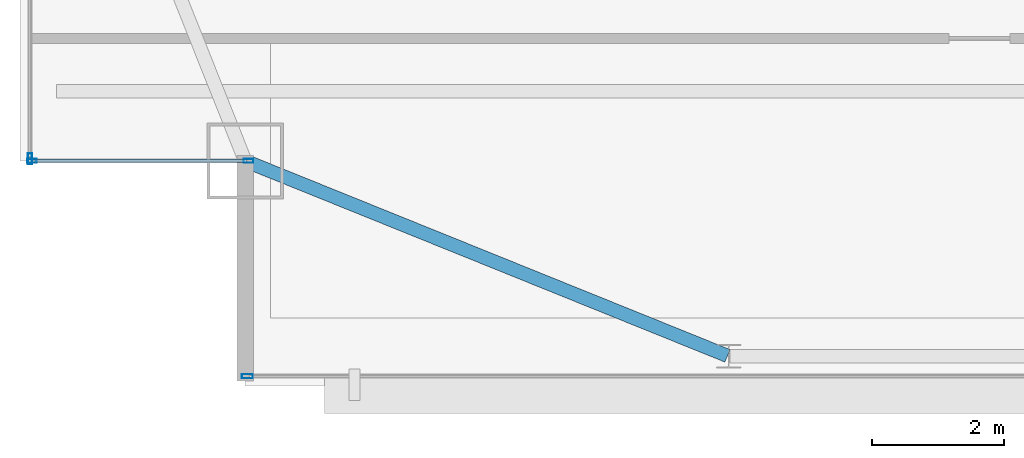
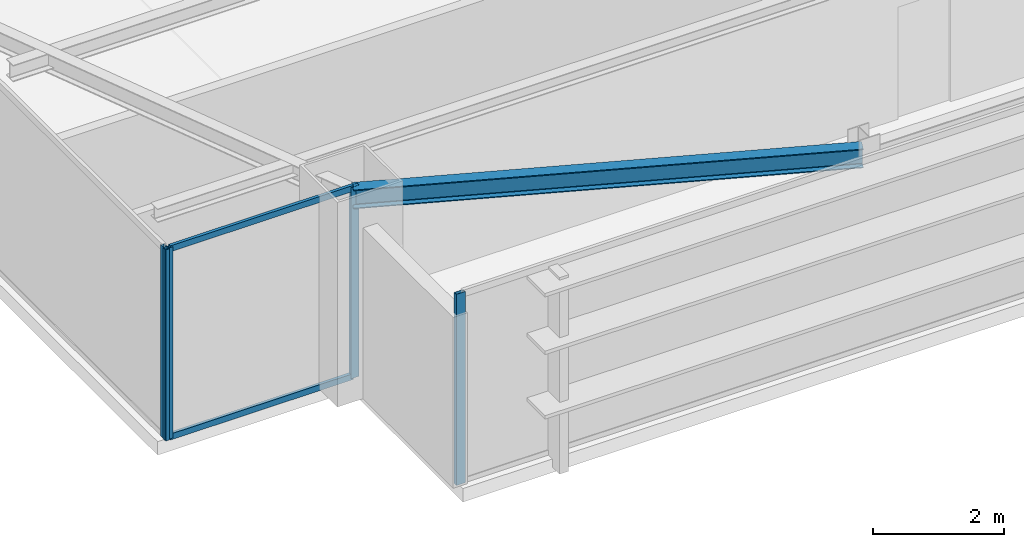
# One storey, part 4 of 27: 6 members, 1 beam, 3 elements without a shape of their own.
"""IFC4 building model written with IfcOpenShell, lengths in metres."""

import ifcopenshell
import ifcopenshell.guid

model = None  # the IFC model being written
_history = None  # IfcOwnerHistory: only IFC2X3 demands one
_inside = {}  # id of a spatial element -> (the spatial element, [elements in it])
_under = {}  # id of a project, library or spatial element -> (it, [spatial elements below it])
_declared = {}  # id of a project -> (the project, [libraries it declares])
_typed = {}  # id of a type object -> (the type object, [elements of that type])
_made_of = {}  # id of a material, layer set ... -> (it, [elements and type objects made of it])


def new_model(schema):
    """Start an empty IFC model of exactly this schema.

    Asked for "IFC4X3", IfcOpenShell would pick the latest addendum, in which some entities
    have other attributes; the version numbers below select the first issue.
    IFC2X3 requires an IfcOwnerHistory on every rooted entity: one is made here for all.
    """
    global model, _history
    if schema == "IFC4X3":
        model = ifcopenshell.file(schema_version=(4, 3, 0, 0))
    else:
        model = ifcopenshell.file(schema=schema)
    _inside.clear()
    _under.clear()
    _declared.clear()
    _typed.clear()
    _made_of.clear()
    _history = None
    if model.schema == "IFC2X3":
        org = make("IfcOrganization", Name="unknown")
        user = make(
            "IfcPersonAndOrganization",
            ThePerson=make("IfcPerson", FamilyName="unknown"),
            TheOrganization=org,
        )
        app = make(
            "IfcApplication",
            ApplicationDeveloper=org,
            Version="unknown",
            ApplicationFullName="unknown",
            ApplicationIdentifier="unknown",
        )
        _history = make(
            "IfcOwnerHistory",
            OwningUser=user,
            OwningApplication=app,
            ChangeAction="ADDED",
            CreationDate=0,
        )
    return model


def make(cls, **values):
    """One entity of the class cls with the attributes given. An attribute that is None is left unset."""
    return model.create_entity(
        cls, **{name: value for name, value in values.items() if value is not None}
    )


def rooted(cls, **values):
    """An entity with a GlobalId (a new one), such as an element, a storey or a relation."""
    return make(cls, GlobalId=ifcopenshell.guid.new(), OwnerHistory=_history, **values)


def si_unit(unit_type, name, prefix=None):
    """IfcSIUnit, for example si_unit("LENGTHUNIT", "METRE", prefix="MILLI")."""
    return make("IfcSIUnit", UnitType=unit_type, Prefix=prefix, Name=name)


def assignment(units):
    """IfcUnitAssignment: the units of a project."""
    return None if units is None else make("IfcUnitAssignment", Units=units)


def point(xyz):
    """IfcCartesianPoint."""
    return None if xyz is None else make("IfcCartesianPoint", Coordinates=xyz)


def direction(xyz):
    """IfcDirection."""
    return None if xyz is None else make("IfcDirection", DirectionRatios=xyz)


def frame(location, z_axis=None, x_axis=None):
    """IfcAxis2Placement3D, a coordinate frame: its origin and axes. An axis left out is left unset."""
    return make(
        "IfcAxis2Placement3D",
        Location=point(location),
        Axis=direction(z_axis),
        RefDirection=direction(x_axis),
    )


def frame_2d(location, x_axis=None):
    """IfcAxis2Placement2D, a coordinate frame in the plane: its origin and x axis."""
    return make(
        "IfcAxis2Placement2D", Location=point(location), RefDirection=direction(x_axis)
    )


def origin():
    """The frame at (0, 0, 0) with its axes left unset."""
    return frame((0.0, 0.0, 0.0))


def origin_2d():
    """The frame at (0, 0) in the plane with its x axis left unset."""
    return frame_2d((0.0, 0.0))


def place(relative_to, where):
    """IfcLocalPlacement: puts the frame where relative to a parent placement (None: the world)."""
    return make(
        "IfcLocalPlacement", PlacementRelTo=relative_to, RelativePlacement=where
    )


def context(
    kind, dimensions, precision=None, world=None, true_north=None, identifier=None
):
    """IfcGeometricRepresentationContext, for example the 3D "Model" context."""
    return make(
        "IfcGeometricRepresentationContext",
        ContextIdentifier=identifier,
        ContextType=kind,
        CoordinateSpaceDimension=dimensions,
        Precision=precision,
        WorldCoordinateSystem=world,
        TrueNorth=true_north,
    )


def subcontext(parent, identifier, kind, view, scale=None):
    """IfcGeometricRepresentationSubContext, for example "Body" below "Model"."""
    return make(
        "IfcGeometricRepresentationSubContext",
        ContextIdentifier=identifier,
        ContextType=kind,
        ParentContext=parent,
        TargetScale=scale,
        TargetView=view,
    )


def project(units=None, contexts=None):
    """IfcProject with its units and contexts."""
    return rooted(
        "IfcProject",
        Name="project",
        RepresentationContexts=contexts,
        UnitsInContext=assignment(units),
    )


def spatial(cls, under=None, at=None, **own):
    """A site, building, storey or space (cls), placed at a placement, below another one or the project."""
    s = rooted(cls, ObjectPlacement=at, **own)
    if under is not None:
        _under.setdefault(under.id(), (under, []))[1].append(s)
    return s


def profile(cls, at=None, kind="AREA", **sizes):
    """A parametric profile (cls). Its sizes go by their IFC names, for example OverallWidth=200.0."""
    return make(cls, ProfileType=kind, Position=at, **sizes)


def hollow_rectangle(**sizes):
    """IfcRectangleHollowProfileDef."""
    return profile("IfcRectangleHollowProfileDef", **sizes)


def i_section(**sizes):
    """IfcIShapeProfileDef."""
    return profile("IfcIShapeProfileDef", **sizes)


def extrude(swept, where, along, depth):
    """IfcExtrudedAreaSolid: the profile swept, set in the frame where, extruded along a direction by depth."""
    return make(
        "IfcExtrudedAreaSolid",
        SweptArea=swept,
        Position=where,
        ExtrudedDirection=direction(along),
        Depth=depth,
    )


def shape(context_of_items, identifier, shape_type, items):
    """IfcShapeRepresentation: the items that make up one representation, for example the "Body"."""
    return make(
        "IfcShapeRepresentation",
        ContextOfItems=context_of_items,
        RepresentationIdentifier=identifier,
        RepresentationType=shape_type,
        Items=items,
    )


def source(mapping_origin, context_of_items, identifier, shape_type, items):
    """IfcRepresentationMap: a shape defined once, which mapped items show again and again."""
    return make(
        "IfcRepresentationMap",
        MappingOrigin=mapping_origin,
        MappedRepresentation=shape(context_of_items, identifier, shape_type, items),
    )


def transform(
    local_origin,
    x_axis=None,
    y_axis=None,
    z_axis=None,
    scale=None,
    scale2=None,
    scale3=None,
    uniform=True,
):
    """IfcCartesianTransformationOperator3D, or its non-uniform kind. x_axis, y_axis, z_axis: its Axis1, 2, 3."""
    if uniform:
        return make(
            "IfcCartesianTransformationOperator3D",
            Axis1=direction(x_axis),
            Axis2=direction(y_axis),
            LocalOrigin=point(local_origin),
            Scale=scale,
            Axis3=direction(z_axis),
        )
    return make(
        "IfcCartesianTransformationOperator3DnonUniform",
        Axis1=direction(x_axis),
        Axis2=direction(y_axis),
        LocalOrigin=point(local_origin),
        Scale=scale,
        Axis3=direction(z_axis),
        Scale2=scale2,
        Scale3=scale3,
    )


def mapped(mapping_source, mapping_target):
    """IfcMappedItem: shows the shape of a source again, moved by a transform."""
    return make(
        "IfcMappedItem", MappingSource=mapping_source, MappingTarget=mapping_target
    )


def material(Name=None, Category=None):
    """IfcMaterial."""
    return make("IfcMaterial", Name=Name, Category=Category)


def layer(
    of_material, thickness, ventilated=None, Name=None, Category=None, Priority=None
):
    """IfcMaterialLayer: one layer of a wall or slab, of a material (None: an air gap)."""
    return make(
        "IfcMaterialLayer",
        Material=of_material,
        LayerThickness=thickness,
        IsVentilated=ventilated,
        Name=Name,
        Category=Category,
        Priority=Priority,
    )


def layer_set(layers, Name=None):
    """IfcMaterialLayerSet."""
    return make("IfcMaterialLayerSet", MaterialLayers=layers, LayerSetName=Name)


def material_profile(
    of_material, cross_section, Name=None, Category=None, Priority=None
):
    """IfcMaterialProfile: a cross section and its material."""
    return make(
        "IfcMaterialProfile",
        Name=Name,
        Material=of_material,
        Profile=cross_section,
        Priority=Priority,
        Category=Category,
    )


def profile_set(profiles, Name=None, composite=None):
    """IfcMaterialProfileSet."""
    return make(
        "IfcMaterialProfileSet",
        Name=Name,
        MaterialProfiles=profiles,
        CompositeProfile=composite,
    )


def made_of(thing, what):
    """Note that an element or type object is made of a material, layer set ...; save() writes the relation."""
    if what is not None:
        _made_of.setdefault(what.id(), (what, []))[1].append(thing)
    return thing


def type_object(cls, material=None, **own):
    """A type object (cls), such as IfcWallType, which elements share."""
    return made_of(rooted(cls, **own), material)


def type_shapes(of_type, sources):
    """Give a type object the sources (RepresentationMaps) that its elements show as mapped items."""
    of_type.RepresentationMaps = sources


def element(
    cls,
    number,
    at=None,
    inside=None,
    cuts=None,
    type_object=None,
    material=None,
    context=None,
    identifier="Body",
    shape_type=None,
    held_by="IfcProductDefinitionShape",
    body=None,
    shapes=None,
    **own,
):
    """One element of the class cls, such as IfcWall. Its Tag is "e" and its number.

    at: its placement. inside: the storey or other place that contains it. cuts: it is an
    opening in that element (IfcRelVoidsElement). A single representation is given by context,
    identifier, shape_type and body (its items); several are given by shapes. held_by: the class
    of the entity that holds the representations. save() writes the other relations.
    """
    e = rooted(cls, Tag="e%d" % number, ObjectPlacement=at, **own)
    if body is not None:
        shapes = [shape(context, identifier, shape_type, body)]
    if shapes is not None:
        e.Representation = make(held_by, Representations=shapes)
    if inside is not None:
        _inside.setdefault(inside.id(), (inside, []))[1].append(e)
    if cuts is not None:
        rooted(
            "IfcRelVoidsElement", RelatingBuildingElement=cuts, RelatedOpeningElement=e
        )
    if type_object is not None:
        _typed.setdefault(type_object.id(), (type_object, []))[1].append(e)
    return made_of(e, material)


def aggregate(whole, parts):
    """IfcRelAggregates: a whole, such as a stair, and the parts it consists of."""
    return rooted("IfcRelAggregates", RelatingObject=whole, RelatedObjects=parts)


def save(model, path):
    """Write the relations noted so far, then the file.

    IfcRelAggregates (storeys below a building ...), IfcRelContainedInSpatialStructure (elements
    in a storey), IfcRelDefinesByType, IfcRelAssociatesMaterial and IfcRelDeclares: one each for
    every whole, place, type object, material and project.
    """
    for whole, parts in _under.values():
        aggregate(whole, parts)
    for where, things in _inside.values():
        rooted(
            "IfcRelContainedInSpatialStructure",
            RelatedElements=things,
            RelatingStructure=where,
        )
    for kind, things in _typed.values():
        rooted("IfcRelDefinesByType", RelatedObjects=things, RelatingType=kind)
    for what, things in _made_of.values():
        rooted("IfcRelAssociatesMaterial", RelatedObjects=things, RelatingMaterial=what)
    for by, libraries in _declared.values():
        rooted("IfcRelDeclares", RelatingContext=by, RelatedDefinitions=libraries)
    model.write(path)


model = new_model("IFC4")

# Units and contexts
model_context = context("Model", 3, precision=1e-05, world=origin(), true_north=direction((0.0, 1.0)))
body_context = subcontext(model_context, "Body", "Model", "MODEL_VIEW")
ifc_project = project(units=[si_unit("LENGTHUNIT", "METRE"), si_unit("AREAUNIT", "SQUARE_METRE"), si_unit("VOLUMEUNIT", "CUBIC_METRE"), si_unit("PLANEANGLEUNIT", "RADIAN"), si_unit("MASSUNIT", "GRAM", prefix="KILO")], contexts=[model_context])

# Site, building, storey
site_placement = place(None, origin())
site = spatial("IfcSite", under=ifc_project, at=site_placement, CompositionType="ELEMENT")
building_placement = place(site_placement, origin())
building = spatial("IfcBuilding", under=site, at=building_placement, Name="Varnel Quay Broadcast Tower", CompositionType="ELEMENT")
storey_placement = place(building_placement, frame((0.0, 0.0, 243.199951171875)))
storey = spatial("IfcBuildingStorey", under=building, at=storey_placement, Name="L60", CompositionType="ELEMENT", Elevation=243.199951171875)

# Beam
ifc_material_1 = material(Name="Structural Steel CSA G40.21 350W", Category="steel")
ifc_material_profile_1 = material_profile(ifc_material_1, i_section(OverallWidth=0.205078125, OverallDepth=0.35400390625, WebThickness=0.009521484375, FlangeThickness=0.016845703125, FilletRadius=0.012939453125, at=origin_2d()), Name="W360X79")
ifc_profile_set_1 = profile_set([ifc_material_profile_1], Name="Structural Steel CSA G40.21 350W")
beam_type = type_object("IfcBeamType", Name="Beam_W360X79", PredefinedType="SPANDREL", material=ifc_profile_set_1)
shared_shape_1 = source(origin(), body_context, "Body", "SweptSolid", [
    extrude(i_section(OverallWidth=0.205078125, OverallDepth=0.35400390625, WebThickness=0.009521484375, FlangeThickness=0.016845703125, FilletRadius=0.012939453125, at=origin_2d()), origin(), (0.0, 0.0, 1.0), 7.83349609375),
])
type_shapes(beam_type, [shared_shape_1])
beam_placement = place(storey_placement, frame((12.91845703125, 13.592529296875, 3.373046875), z_axis=(0.927155449606, -0.374676890489, 0.0), x_axis=(0.374676890489, 0.927155449606, 0.0)))
element("IfcBeam", 1, at=beam_placement, inside=storey, type_object=beam_type, Name="L60 South Spandrel MC-SW-TC-S1", PredefinedType="SPANDREL", context=body_context, shape_type="MappedRepresentation", body=[
    mapped(shared_shape_1, transform((0.0, 0.0, 0.0), x_axis=(1.0, 0.0, 0.0), y_axis=(0.0, 1.0, 0.0), z_axis=(0.0, 0.0, 1.0), scale=1.0)),
])

# Curtain wall, members
ifc_material_2 = material(Name="Anodised Bronze Aluminium 6063-T6", Category="aluminium")
ifc_layer_1 = layer(ifc_material_2, 0.18994140625, Name="Anodised Bronze Aluminium 6063-T6")
ifc_layer_set_1 = layer_set([ifc_layer_1], Name="Anodised Bronze Aluminium 6063-T6")
curtain_wall_type_1 = type_object("IfcCurtainWallType", Name="CW_NotchCorner", PredefinedType="NOTDEFINED", material=ifc_layer_set_1)
curtain_wall_1_placement = place(storey_placement, origin())
curtain_wall_1 = element("IfcCurtainWall", 2, at=curtain_wall_1_placement, inside=storey, type_object=curtain_wall_type_1, Name="L60 SW Notch Curtain Wall", PredefinedType="NOTDEFINED")
ifc_material_profile_2 = material_profile(ifc_material_2, hollow_rectangle(XDim=0.06005859375, YDim=0.14501953125, WallThickness=0.00341796875, at=origin_2d()), Name="ALU60X145X3.5")
ifc_profile_set_2 = profile_set([ifc_material_profile_2], Name="Anodised Bronze Aluminium 6063-T6")
member_type_1 = type_object("IfcMemberType", Name="Mull_CWS-04", PredefinedType="MULLION", material=ifc_profile_set_2)
shared_shape_2 = source(origin(), body_context, "Body", "SweptSolid", [
    extrude(hollow_rectangle(XDim=0.06005859375, YDim=0.14501953125, WallThickness=0.00341796875, at=origin_2d()), origin(), (0.0, 0.0, 1.0), 3.550048828125),
])
type_shapes(member_type_1, [shared_shape_2])
member_1_placement = place(storey_placement, frame((9.679931640625, 13.60009765625, 0.0), z_axis=(0.0, 0.0, 1.0), x_axis=(0.0, 1.0, 0.0)))
member_1 = element("IfcMember", 3, at=member_1_placement, type_object=member_type_1, Name="CWS-04 mullion 1", PredefinedType="MULLION", context=body_context, shape_type="MappedRepresentation", body=[
    mapped(shared_shape_2, transform((0.0, 0.0, 0.0), x_axis=(1.0, 0.0, 0.0), y_axis=(0.0, 1.0, 0.0), z_axis=(0.0, 0.0, 1.0), scale=1.0)),
])
member_2_placement = place(storey_placement, frame((12.949951171875, 13.60009765625, 0.0), z_axis=(0.0, 0.0, 1.0), x_axis=(0.0, 1.0, 0.0)))
member_2 = element("IfcMember", 4, at=member_2_placement, type_object=member_type_1, Name="CWS-04 mullion 2", PredefinedType="MULLION", context=body_context, shape_type="MappedRepresentation", body=[
    mapped(shared_shape_2, transform((0.0, 0.0, 0.0), x_axis=(1.0, 0.0, 0.0), y_axis=(0.0, 1.0, 0.0), z_axis=(0.0, 0.0, 1.0), scale=1.0)),
])

# Curtain wall, member
ifc_layer_2 = layer(ifc_material_2, 0.18994140625, Name="Anodised Bronze Aluminium 6063-T6")
ifc_layer_set_2 = layer_set([ifc_layer_2], Name="Anodised Bronze Aluminium 6063-T6")
curtain_wall_type_2 = type_object("IfcCurtainWallType", Name="CW_UpperTower", PredefinedType="NOTDEFINED", material=ifc_layer_set_2)
curtain_wall_2_placement = place(storey_placement, origin())
curtain_wall_2 = element("IfcCurtainWall", 5, at=curtain_wall_2_placement, inside=storey, type_object=curtain_wall_type_2, Name="L60 South Unitised Curtain Wall 1", PredefinedType="NOTDEFINED")
ifc_material_profile_3 = material_profile(ifc_material_2, hollow_rectangle(XDim=0.06494140625, YDim=0.1650390625, WallThickness=0.00341796875, at=origin_2d()), Name="ALU65X165X3.5")
ifc_profile_set_3 = profile_set([ifc_material_profile_3], Name="Anodised Bronze Aluminium 6063-T6")
member_type_2 = type_object("IfcMemberType", Name="Mull_CWS-03", PredefinedType="MULLION", material=ifc_profile_set_3)
shared_shape_3 = source(origin(), body_context, "Body", "SweptSolid", [
    extrude(hollow_rectangle(XDim=0.06494140625, YDim=0.1650390625, WallThickness=0.00341796875, at=origin_2d()), origin(), (0.0, 0.0, 1.0), 3.550048828125),
])
type_shapes(member_type_2, [shared_shape_3])
member_3_placement = place(storey_placement, frame((12.9326171875, 10.35009765625, 0.0), z_axis=(0.0, 0.0, 1.0), x_axis=(0.0, 1.0, 0.0)))
member_3 = element("IfcMember", 6, at=member_3_placement, type_object=member_type_2, Name="CWS-03 mullion 1", PredefinedType="MULLION", context=body_context, shape_type="MappedRepresentation", body=[
    mapped(shared_shape_3, transform((0.0, 0.0, 0.0), x_axis=(1.0, 0.0, 0.0), y_axis=(0.0, 1.0, 0.0), z_axis=(0.0, 0.0, 1.0), scale=1.0)),
])
aggregate(curtain_wall_2, [member_3])

curtain_wall_3_placement = place(storey_placement, origin())
curtain_wall_3 = element("IfcCurtainWall", 7, at=curtain_wall_3_placement, inside=storey, type_object=curtain_wall_type_2, Name="L60 West Unitised Curtain Wall", PredefinedType="NOTDEFINED")
member_4_placement = place(storey_placement, frame((9.64990234375, 13.632568359375, 0.0), z_axis=(0.0, 0.0, 1.0), x_axis=(-1.0, 0.0, 0.0)))
member_4 = element("IfcMember", 8, at=member_4_placement, type_object=member_type_2, Name="CWS-03 mullion 1", PredefinedType="MULLION", context=body_context, shape_type="MappedRepresentation", body=[
    mapped(shared_shape_3, transform((0.0, 0.0, 0.0), x_axis=(1.0, 0.0, 0.0), y_axis=(0.0, 1.0, 0.0), z_axis=(0.0, 0.0, 1.0), scale=1.0)),
])
aggregate(curtain_wall_3, [member_4])

# Member
ifc_material_profile_4 = material_profile(ifc_material_2, hollow_rectangle(XDim=0.054931640625, YDim=0.110107421875, WallThickness=0.0029296875, at=origin_2d()), Name="ALU55X110X3")
ifc_profile_set_4 = profile_set([ifc_material_profile_4], Name="Anodised Bronze Aluminium 6063-T6")
member_type_3 = type_object("IfcMemberType", Name="Tran_CWS-04", PredefinedType="USERDEFINED", material=ifc_profile_set_4)
shared_shape_4 = source(origin(), body_context, "Body", "SweptSolid", [
    extrude(hollow_rectangle(XDim=0.054931640625, YDim=0.110107421875, WallThickness=0.0029296875, at=origin_2d()), origin(), (0.0, 0.0, 1.0), 3.2099609375),
])
type_shapes(member_type_3, [shared_shape_4])
member_5_placement = place(storey_placement, frame((9.7099609375, 13.60009765625, 0.027587890625), z_axis=(1.0, 0.0, 0.0), x_axis=(0.0, 1.0, 0.0)))
member_5 = element("IfcMember", 9, at=member_5_placement, type_object=member_type_3, Name="CWS-04 transom 1.1", ObjectType="TRANSOM", PredefinedType="USERDEFINED", context=body_context, shape_type="MappedRepresentation", body=[
    mapped(shared_shape_4, transform((0.0, 0.0, 0.0), x_axis=(1.0, 0.0, 0.0), y_axis=(0.0, 1.0, 0.0), z_axis=(0.0, 0.0, 1.0), scale=1.0)),
])

member_6_placement = place(storey_placement, frame((9.7099609375, 13.60009765625, 3.5224609375), z_axis=(1.0, 0.0, 0.0), x_axis=(0.0, 1.0, 0.0)))
member_6 = element("IfcMember", 10, at=member_6_placement, type_object=member_type_3, Name="CWS-04 transom 1.2", ObjectType="TRANSOM", PredefinedType="USERDEFINED", context=body_context, shape_type="MappedRepresentation", body=[
    mapped(shared_shape_4, transform((0.0, 0.0, 0.0), x_axis=(1.0, 0.0, 0.0), y_axis=(0.0, 1.0, 0.0), z_axis=(0.0, 0.0, 1.0), scale=1.0)),
])

aggregate(curtain_wall_1, [member_1, member_2, member_5, member_6])

save(model, "model.ifc")
